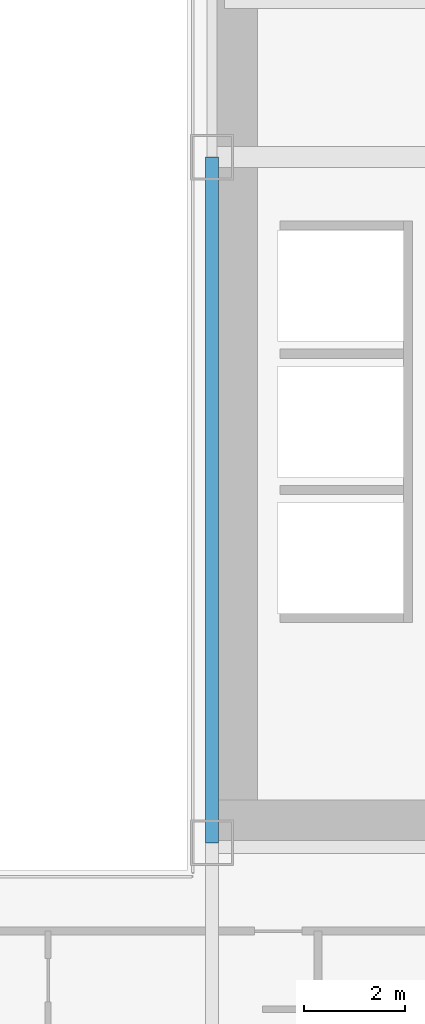
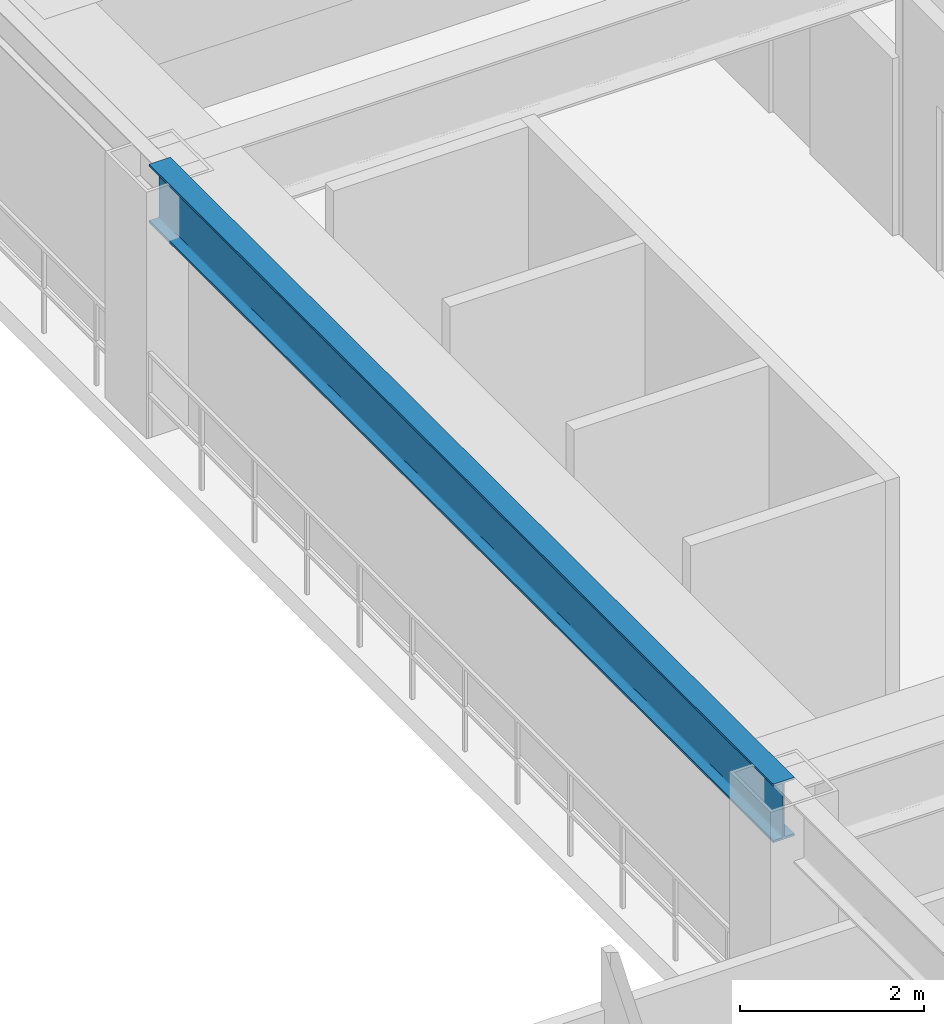
# One storey, part 12 of 35: 1 beam.
"""IFC4 building model written with IfcOpenShell, lengths in metres."""

from ifc_helpers import new_model, si_unit, direction, frame, origin, origin_2d, place, context, subcontext, project, spatial, i_section, extrude, source, transform, mapped, material, material_profile, profile_set, type_object, element, save


model = new_model("IFC4")

# Units and contexts
model_context = context("Model", 3, precision=1e-05, world=origin(), true_north=direction((0.0, 1.0)))
body_context = subcontext(model_context, "Body", "Model", "MODEL_VIEW")
ifc_project = project(units=[si_unit("LENGTHUNIT", "METRE"), si_unit("AREAUNIT", "SQUARE_METRE"), si_unit("VOLUMEUNIT", "CUBIC_METRE"), si_unit("PLANEANGLEUNIT", "RADIAN"), si_unit("MASSUNIT", "GRAM", prefix="KILO")], contexts=[model_context])

# Site, building, storey
site_placement = place(None, origin())
site = spatial("IfcSite", under=ifc_project, at=site_placement, CompositionType="ELEMENT")
building_placement = place(site_placement, origin())
building = spatial("IfcBuilding", under=site, at=building_placement, Name="Ocotamira Hotel", CompositionType="ELEMENT")
storey_placement = place(building_placement, frame((0.0, 0.0, 81.60009765625)))
storey = spatial("IfcBuildingStorey", under=building, at=storey_placement, Name="L20", CompositionType="ELEMENT", Elevation=81.60009765625)

# Beam
ifc_material = material(Name="Steel ASTM A992 Grade 50", Category="steel")
ifc_material_profile = material_profile(ifc_material, i_section(OverallWidth=0.26611328125, OverallDepth=0.779052734375, WebThickness=0.0166015625, FlangeThickness=0.030029296875, FilletRadius=0.01806640625, at=origin_2d()), Name="W30X148")
ifc_profile_set = profile_set([ifc_material_profile], Name="Steel ASTM A992 Grade 50")
beam_type = type_object("IfcBeamType", Name="BM-GIRD-W30X148", PredefinedType="BEAM", material=ifc_profile_set)
shared_shape = source(origin(), body_context, "Body", "SweptSolid", [
    extrude(i_section(OverallWidth=0.26611328125, OverallDepth=0.779052734375, WebThickness=0.0166015625, FlangeThickness=0.030029296875, FilletRadius=0.01806640625, at=origin_2d()), origin(), (0.0, 0.0, 1.0), 13.599853515625),
])
beam_placement = place(storey_placement, frame((40.5, 14.550048828125, 2.890380859375), z_axis=(0.0, 1.0, 0.0), x_axis=(-1.0, 0.0, 0.0)))
element("IfcBeam", 1, at=beam_placement, inside=storey, type_object=beam_type, Name="L20 Beam X40.5 Y14.55-28.15", PredefinedType="BEAM", context=body_context, shape_type="MappedRepresentation", body=[
    mapped(shared_shape, transform((0.0, 0.0, 0.0), scale=1.0)),
])

save(model, "model.ifc")
